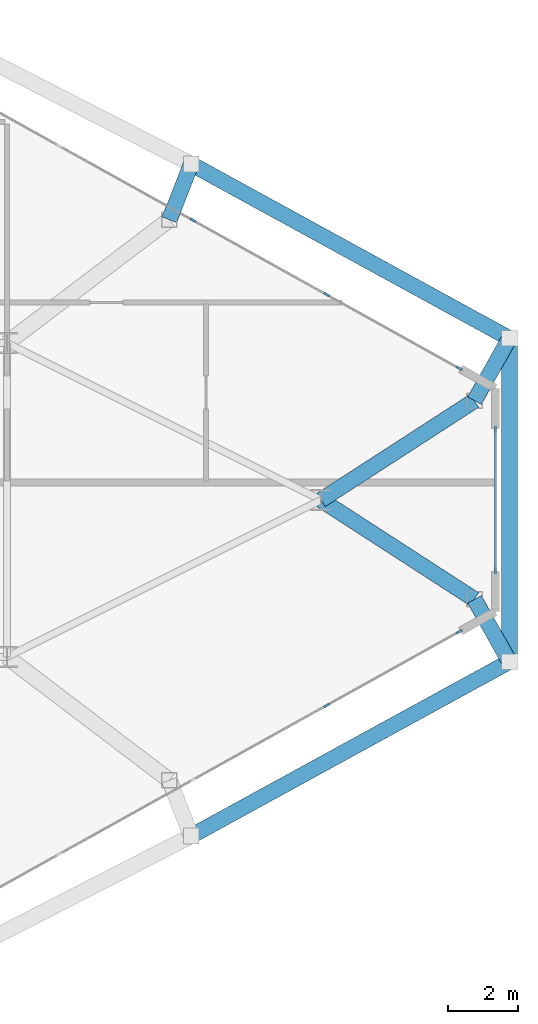
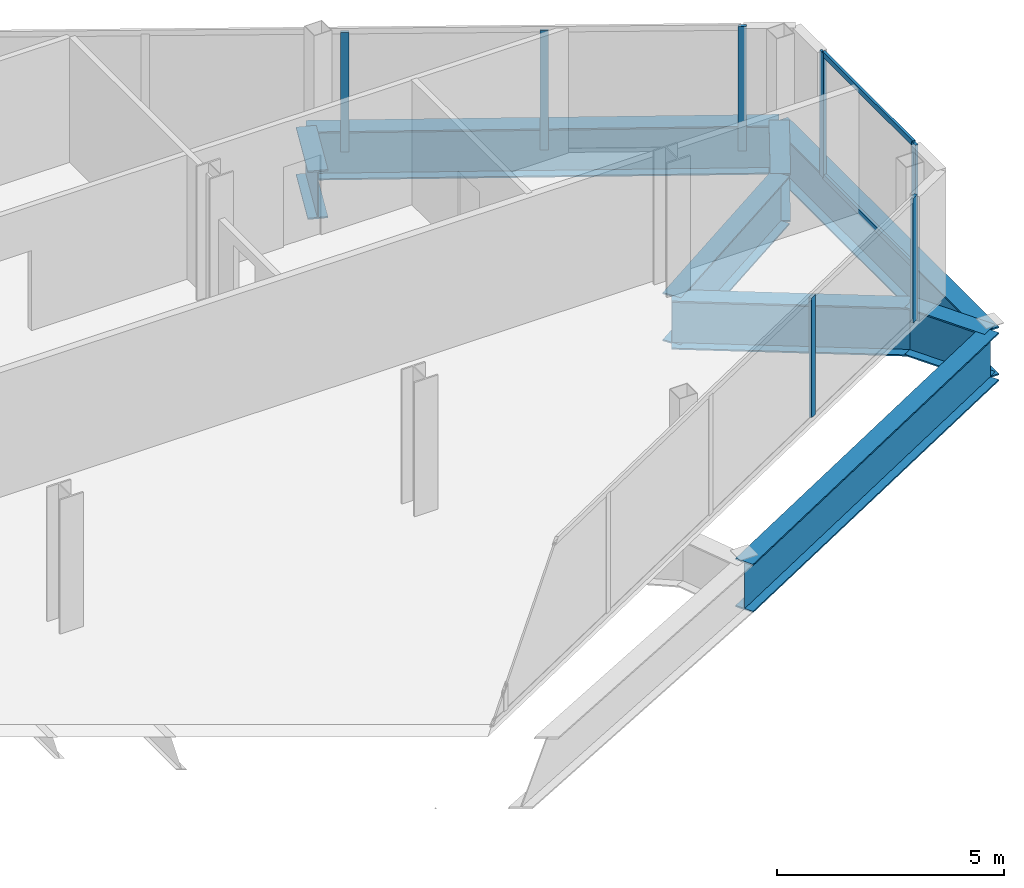
# One storey, part 18 of 28: 9 members, 8 beams, 3 elements without a shape of their own.
"""IFC4 building model written with IfcOpenShell, lengths in metres."""

from ifc_helpers import new_model, si_unit, direction, frame, origin, origin_2d, place, context, subcontext, project, spatial, rectangle, i_section, extrude, source, transform, mapped, material, layer, layer_set, material_profile, profile_set, type_object, type_shapes, element, aggregate, save


model = new_model("IFC4")

# Units and contexts
model_context = context("Model", 3, precision=1e-05, world=origin(), true_north=direction((0.0, 1.0)))
body_context = subcontext(model_context, "Body", "Model", "MODEL_VIEW")
ifc_project = project(units=[si_unit("LENGTHUNIT", "METRE"), si_unit("AREAUNIT", "SQUARE_METRE"), si_unit("VOLUMEUNIT", "CUBIC_METRE"), si_unit("PLANEANGLEUNIT", "RADIAN"), si_unit("MASSUNIT", "GRAM", prefix="KILO")], contexts=[model_context])

# Site, building, storey
site_placement = place(None, origin())
site = spatial("IfcSite", under=ifc_project, at=site_placement, CompositionType="ELEMENT")
building_placement = place(site_placement, origin())
building = spatial("IfcBuilding", under=site, at=building_placement, Name="Seokmaru Belvedere", CompositionType="ELEMENT")
storey_placement = place(building_placement, frame((0.0, 0.0, 158.39990234375)))
storey = spatial("IfcBuildingStorey", under=building, at=storey_placement, Name="L42", CompositionType="ELEMENT", Elevation=158.39990234375)

# Beams
ifc_material_1 = material(Name="Steel HSA650 (650 MPa)", Category="steel")
ifc_material_profile_1 = material_profile(ifc_material_1, i_section(OverallWidth=0.449951171875, OverallDepth=1.300048828125, WebThickness=0.02197265625, FlangeThickness=0.0380859375, at=origin_2d()), Name="BH-1300x450x22x38")
ifc_profile_set_1 = profile_set([ifc_material_profile_1], Name="Steel HSA650 (650 MPa)")
beam_type = type_object("IfcBeamType", Name="Observatory Long-Span Roof Girder BH-1300", PredefinedType="BEAM", material=ifc_profile_set_1)
shared_shape_1 = source(origin(), body_context, "Body", "SweptSolid", [
    extrude(i_section(OverallWidth=0.449951171875, OverallDepth=1.300048828125, WebThickness=0.02197265625, FlangeThickness=0.0380859375, at=origin_2d()), origin(), (0.0, 0.0, 1.0), 10.399658203125),
])
for number, where, z_axis, x_axis, name in (
    (1, (59.778564453125, -9.62890625, -0.869873046875), (0.877082374422, 0.480339992587, 0.0), (-0.480339992587, 0.877082374422, 0.0), "L42 E Faceted Flank Spandrel S-4"),
    (2, (59.778564453125, 9.62890625, -0.869873046875), (0.877082374422, -0.480339992587, 0.0), (0.480339992587, 0.877082374422, 0.0), "L42 E Faceted Flank Spandrel N-4"),
):
    element("IfcBeam", number, at=place(storey_placement, frame(where, z_axis=z_axis, x_axis=x_axis)), inside=storey, type_object=beam_type, Name=name, PredefinedType="BEAM", context=body_context, shape_type="MappedRepresentation", body=[
        mapped(shared_shape_1, transform((0.0, 0.0, 0.0), scale=1.0)),
    ])
shared_shape_2 = source(origin(), body_context, "Body", "SweptSolid", [
    extrude(i_section(OverallWidth=0.449951171875, OverallDepth=1.300048828125, WebThickness=0.02197265625, FlangeThickness=0.0380859375, at=origin_2d()), origin(), (0.0, 0.0, 1.0), 9.26708984375),
])
beam_1_placement = place(storey_placement, frame((68.89990234375, -4.633544921875, -0.869873046875), z_axis=(0.0, 1.0, 0.0), x_axis=(-1.0, 0.0, 0.0)))
element("IfcBeam", 3, at=beam_1_placement, inside=storey, type_object=beam_type, Name="L42 E Faceted Apex Spandrel", PredefinedType="BEAM", context=body_context, shape_type="MappedRepresentation", body=[
    mapped(shared_shape_2, transform((0.0, 0.0, 0.0), scale=1.0)),
])
shared_shape_3 = source(origin(), body_context, "Body", "SweptSolid", [
    extrude(i_section(OverallWidth=0.449951171875, OverallDepth=1.300048828125, WebThickness=0.02197265625, FlangeThickness=0.0380859375, at=origin_2d()), origin(), (0.0, 0.0, 1.0), 2.047119140625),
])
for number, where, z_axis, x_axis, name in (
    (4, (68.89990234375, -4.633544921875, -0.869873046875), (-0.488465370703, 0.872583280624, 0.0), (-0.872583280624, -0.488465370703, 0.0), "L42 E Setback Transfer Girder 2"),
    (5, (68.89990234375, 4.633544921875, -0.869873046875), (-0.488465370703, -0.872583280624, 0.0), (0.872583280624, -0.488465370703, 0.0), "L42 E Setback Transfer Girder 3"),
):
    element("IfcBeam", number, at=place(storey_placement, frame(where, z_axis=z_axis, x_axis=x_axis)), inside=storey, type_object=beam_type, Name=name, PredefinedType="BEAM", context=body_context, shape_type="MappedRepresentation", body=[
        mapped(shared_shape_3, transform((0.0, 0.0, 0.0), scale=1.0)),
    ])
shared_shape_4 = source(origin(), body_context, "Body", "SweptSolid", [
    extrude(i_section(OverallWidth=0.449951171875, OverallDepth=1.300048828125, WebThickness=0.02197265625, FlangeThickness=0.0380859375, at=origin_2d()), origin(), (0.0, 0.0, 1.0), 5.24072265625),
])
for number, where, z_axis, x_axis, name in (
    (6, (67.89990234375, -2.84716796875, -0.869873046875), (-0.839555158729, 0.543274456836, 0.0), (-0.543274456836, -0.839555158729, 0.0), "L42 E Apex Sanity Tie Girder 2"),
    (7, (67.89990234375, 2.84716796875, -0.869873046875), (-0.839555158729, -0.543274456836, 0.0), (0.543274456836, -0.839555158729, 0.0), "L42 E Apex Sanity Tie Girder 3"),
):
    element("IfcBeam", number, at=place(storey_placement, frame(where, z_axis=z_axis, x_axis=x_axis)), inside=storey, type_object=beam_type, Name=name, PredefinedType="BEAM", context=body_context, shape_type="MappedRepresentation", body=[
        mapped(shared_shape_4, transform((0.0, 0.0, 0.0), scale=1.0)),
    ])
shared_shape_5 = source(origin(), body_context, "Body", "SweptSolid", [
    extrude(i_section(OverallWidth=0.449951171875, OverallDepth=1.300048828125, WebThickness=0.02197265625, FlangeThickness=0.0380859375, at=origin_2d()), origin(), (0.0, 0.0, 1.0), 1.715087890625),
])
type_shapes(beam_type, [shared_shape_1, shared_shape_2, shared_shape_3, shared_shape_4, shared_shape_5])
beam_2_placement = place(storey_placement, frame((59.778564453125, 9.62890625, -0.869873046875), z_axis=(-0.36386789594, -0.931450564606, 0.0), x_axis=(0.931450564606, -0.36386789594, 0.0)))
element("IfcBeam", 8, at=beam_2_placement, inside=storey, type_object=beam_type, Name="L42 E Flank Setback Step Girder N-3", PredefinedType="BEAM", context=body_context, shape_type="MappedRepresentation", body=[
    mapped(shared_shape_5, transform((0.0, 0.0, 0.0), scale=1.0)),
])

# Curtain wall, member
ifc_material_2 = material(Name="Bronze Triple Insulating Glass", Category="glass")
ifc_layer = layer(ifc_material_2, 0.179931640625)
ifc_layer_set = layer_set([ifc_layer], Name="Bronze Triple Insulating Glass")
curtain_wall_type = type_object("IfcCurtainWallType", Name="High-Rise Wind-Corner Curtain Wall System CW-5", PredefinedType="NOTDEFINED", material=ifc_layer_set)
curtain_wall_1_placement = place(storey_placement, origin())
curtain_wall_1 = element("IfcCurtainWall", 9, at=curtain_wall_1_placement, inside=storey, type_object=curtain_wall_type, Name="L42 Curtain Wall EF1", PredefinedType="NOTDEFINED")
ifc_material_3 = material(Name="Anodised Bronze Aluminium", Category="aluminium")
ifc_material_profile_2 = material_profile(ifc_material_3, rectangle(XDim=0.06494140625, YDim=0.179931640625, at=origin_2d()), Name="CW-M-65x180")
ifc_profile_set_2 = profile_set([ifc_material_profile_2], Name="Anodised Bronze Aluminium")
member_type_1 = type_object("IfcMemberType", Name="Bronze Unitised Mullion 65x180", PredefinedType="MULLION", material=ifc_profile_set_2)
shared_shape_6 = source(origin(), body_context, "Body", "SweptSolid", [
    extrude(rectangle(XDim=0.06494140625, YDim=0.179931640625, at=origin_2d()), origin(), (0.0, 0.0, 1.0), 3.340087890625),
])
member_1_placement = place(storey_placement, frame((67.466552734375, -3.77490234375, 0.0), z_axis=(0.0, 0.0, 1.0), x_axis=(-0.486047125147, 0.873932601598, 0.0)))
member_1 = element("IfcMember", 10, at=member_1_placement, type_object=member_type_1, Name="CW:L42:EF1 Mullion 10", PredefinedType="MULLION", context=body_context, shape_type="MappedRepresentation", body=[
    mapped(shared_shape_6, transform((0.0, 0.0, 0.0), scale=1.0)),
])

# Curtain wall, members
curtain_wall_2_placement = place(storey_placement, origin())
curtain_wall_2 = element("IfcCurtainWall", 11, at=curtain_wall_2_placement, inside=storey, type_object=curtain_wall_type, Name="L42 Curtain Wall EF2", PredefinedType="NOTDEFINED")
member_2_placement = place(storey_placement, frame((68.5, -2.017578125, 0.0), z_axis=(0.0, 0.0, 1.0), x_axis=(-1.0, 0.0, 0.0)))
member_2 = element("IfcMember", 12, at=member_2_placement, type_object=member_type_1, Name="CW:L42:EF2 Mullion 1", PredefinedType="MULLION", context=body_context, shape_type="MappedRepresentation", body=[
    mapped(shared_shape_6, transform((0.0, 0.0, 0.0), scale=1.0)),
])
member_3_placement = place(storey_placement, frame((68.5, 2.017578125, 0.0), z_axis=(0.0, 0.0, 1.0), x_axis=(-1.0, 0.0, 0.0)))
member_3 = element("IfcMember", 13, at=member_3_placement, type_object=member_type_1, Name="CW:L42:EF2 Mullion 2", PredefinedType="MULLION", context=body_context, shape_type="MappedRepresentation", body=[
    mapped(shared_shape_6, transform((0.0, 0.0, 0.0), scale=1.0)),
])

# Curtain wall, member
curtain_wall_3_placement = place(storey_placement, origin())
curtain_wall_3 = element("IfcCurtainWall", 14, at=curtain_wall_3_placement, inside=storey, type_object=curtain_wall_type, Name="L42 Curtain Wall EF3", PredefinedType="NOTDEFINED")
member_4_placement = place(storey_placement, frame((67.466552734375, 3.77490234375, 0.0), z_axis=(0.0, 0.0, 1.0), x_axis=(-0.486047125147, -0.873932601598, 0.0)))
member_4 = element("IfcMember", 15, at=member_4_placement, type_object=member_type_1, Name="CW:L42:EF3 Mullion 1", PredefinedType="MULLION", context=body_context, shape_type="MappedRepresentation", body=[
    mapped(shared_shape_6, transform((0.0, 0.0, 0.0), scale=1.0)),
])

# Member
shared_shape_7 = source(origin(), body_context, "Body", "SweptSolid", [
    extrude(rectangle(XDim=0.06494140625, YDim=0.179931640625, at=origin_2d()), origin(), (0.0, 0.0, 1.0), 3.2099609375),
])
type_shapes(member_type_1, [shared_shape_6, shared_shape_7])
member_5_placement = place(storey_placement, frame((63.662841796875, -5.890380859375, 0.065185546875), z_axis=(0.0, 0.0, 1.0), x_axis=(-0.486047125147, 0.873932601598, 0.0)))
member_5 = element("IfcMember", 16, at=member_5_placement, type_object=member_type_1, Name="CW:L42:EF1 Mullion 9", PredefinedType="MULLION", context=body_context, shape_type="MappedRepresentation", body=[
    mapped(shared_shape_7, transform((0.0, 0.0, 0.0), scale=1.0)),
])

aggregate(curtain_wall_1, [member_5, member_1])

member_6_placement = place(storey_placement, frame((63.662841796875, 5.890380859375, 0.065185546875), z_axis=(0.0, 0.0, 1.0), x_axis=(-0.486047125147, -0.873932601598, 0.0)))
member_6 = element("IfcMember", 17, at=member_6_placement, type_object=member_type_1, Name="CW:L42:EF3 Mullion 2", PredefinedType="MULLION", context=body_context, shape_type="MappedRepresentation", body=[
    mapped(shared_shape_7, transform((0.0, 0.0, 0.0), scale=1.0)),
])

member_7_placement = place(storey_placement, frame((59.83056640625, 8.021728515625, 0.065185546875), z_axis=(0.0, 0.0, 1.0), x_axis=(-0.486047125147, -0.873932601598, 0.0)))
member_7 = element("IfcMember", 18, at=member_7_placement, type_object=member_type_1, Name="CW:L42:EF3 Mullion 3", PredefinedType="MULLION", context=body_context, shape_type="MappedRepresentation", body=[
    mapped(shared_shape_7, transform((0.0, 0.0, 0.0), scale=1.0)),
])

aggregate(curtain_wall_3, [member_4, member_6, member_7])

ifc_material_profile_3 = material_profile(ifc_material_3, rectangle(XDim=0.06494140625, YDim=0.14990234375, at=origin_2d()), Name="CW-T-65x150")
ifc_profile_set_3 = profile_set([ifc_material_profile_3], Name="Anodised Bronze Aluminium")
member_type_2 = type_object("IfcMemberType", Name="Bronze Unitised Transom 65x150", PredefinedType="USERDEFINED", material=ifc_profile_set_3)
shared_shape_8 = source(origin(), body_context, "Body", "SweptSolid", [
    extrude(rectangle(XDim=0.06494140625, YDim=0.14990234375, at=origin_2d()), origin(), (0.0, 0.0, 1.0), 3.97021484375),
])
type_shapes(member_type_2, [shared_shape_8])
member_8_placement = place(storey_placement, frame((68.5, -1.985107421875, 0.03271484375), z_axis=(0.0, 1.0, 0.0), x_axis=(-1.0, 0.0, 0.0)))
member_8 = element("IfcMember", 19, at=member_8_placement, type_object=member_type_2, Name="CW:L42:EF2 Continuous Transom 1", ObjectType="TRANSOM", PredefinedType="USERDEFINED", context=body_context, shape_type="MappedRepresentation", body=[
    mapped(shared_shape_8, transform((0.0, 0.0, 0.0), scale=1.0)),
])

member_9_placement = place(storey_placement, frame((68.5, -1.985107421875, 3.3076171875), z_axis=(0.0, 1.0, 0.0), x_axis=(-1.0, 0.0, 0.0)))
member_9 = element("IfcMember", 20, at=member_9_placement, type_object=member_type_2, Name="CW:L42:EF2 Continuous Transom 2", ObjectType="TRANSOM", PredefinedType="USERDEFINED", context=body_context, shape_type="MappedRepresentation", body=[
    mapped(shared_shape_8, transform((0.0, 0.0, 0.0), scale=1.0)),
])

aggregate(curtain_wall_2, [member_2, member_3, member_8, member_9])

save(model, "model.ifc")
